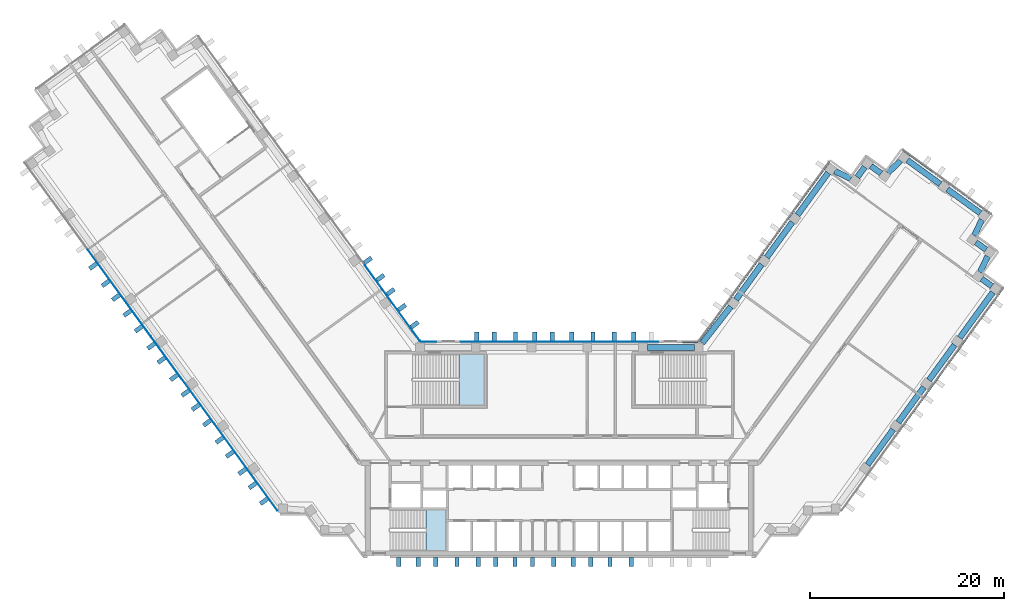
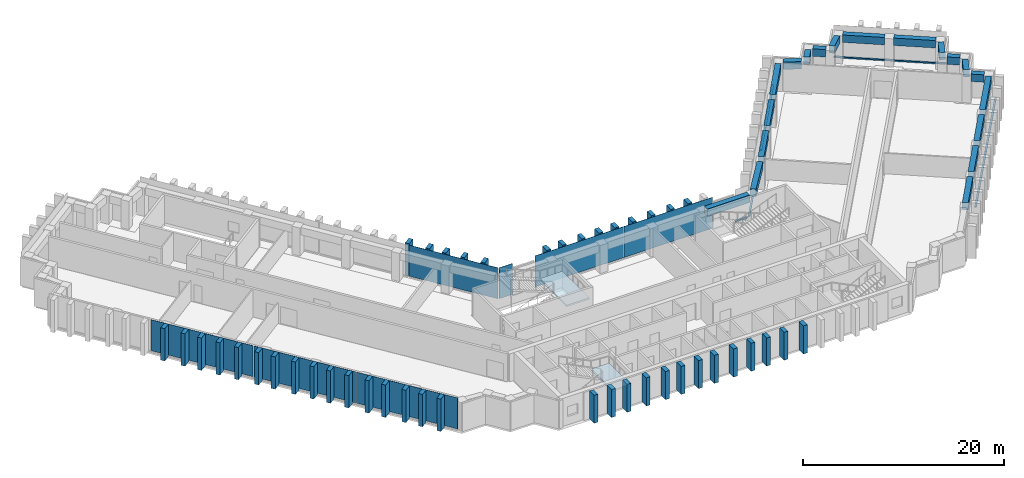
"""IFC4 building model written with IfcOpenShell, lengths in metres."""

import ifcopenshell
import ifcopenshell.guid

model = None  # the IFC model being written
_history = None  # IfcOwnerHistory: only IFC2X3 demands one
_inside = {}  # id of a spatial element -> (the spatial element, [elements in it])
_under = {}  # id of a project, library or spatial element -> (it, [spatial elements below it])
_declared = {}  # id of a project -> (the project, [libraries it declares])
_typed = {}  # id of a type object -> (the type object, [elements of that type])
_made_of = {}  # id of a material, layer set ... -> (it, [elements and type objects made of it])


def new_model(schema):
    """Start an empty IFC model of exactly this schema.

    Asked for "IFC4X3", IfcOpenShell would pick the latest addendum, in which some entities
    have other attributes; the version numbers below select the first issue.
    IFC2X3 requires an IfcOwnerHistory on every rooted entity: one is made here for all.
    """
    global model, _history
    if schema == "IFC4X3":
        model = ifcopenshell.file(schema_version=(4, 3, 0, 0))
    else:
        model = ifcopenshell.file(schema=schema)
    _inside.clear()
    _under.clear()
    _declared.clear()
    _typed.clear()
    _made_of.clear()
    _history = None
    if model.schema == "IFC2X3":
        org = make("IfcOrganization", Name="unknown")
        user = make(
            "IfcPersonAndOrganization",
            ThePerson=make("IfcPerson", FamilyName="unknown"),
            TheOrganization=org,
        )
        app = make(
            "IfcApplication",
            ApplicationDeveloper=org,
            Version="unknown",
            ApplicationFullName="unknown",
            ApplicationIdentifier="unknown",
        )
        _history = make(
            "IfcOwnerHistory",
            OwningUser=user,
            OwningApplication=app,
            ChangeAction="ADDED",
            CreationDate=0,
        )
    return model


def make(cls, **values):
    """One entity of the class cls with the attributes given. An attribute that is None is left unset."""
    return model.create_entity(
        cls, **{name: value for name, value in values.items() if value is not None}
    )


def rooted(cls, **values):
    """An entity with a GlobalId (a new one), such as an element, a storey or a relation."""
    return make(cls, GlobalId=ifcopenshell.guid.new(), OwnerHistory=_history, **values)


def si_unit(unit_type, name, prefix=None):
    """IfcSIUnit, for example si_unit("LENGTHUNIT", "METRE", prefix="MILLI")."""
    return make("IfcSIUnit", UnitType=unit_type, Prefix=prefix, Name=name)


def assignment(units):
    """IfcUnitAssignment: the units of a project."""
    return None if units is None else make("IfcUnitAssignment", Units=units)


def point(xyz):
    """IfcCartesianPoint."""
    return None if xyz is None else make("IfcCartesianPoint", Coordinates=xyz)


def direction(xyz):
    """IfcDirection."""
    return None if xyz is None else make("IfcDirection", DirectionRatios=xyz)


def frame(location, z_axis=None, x_axis=None):
    """IfcAxis2Placement3D, a coordinate frame: its origin and axes. An axis left out is left unset."""
    return make(
        "IfcAxis2Placement3D",
        Location=point(location),
        Axis=direction(z_axis),
        RefDirection=direction(x_axis),
    )


def frame_2d(location, x_axis=None):
    """IfcAxis2Placement2D, a coordinate frame in the plane: its origin and x axis."""
    return make(
        "IfcAxis2Placement2D", Location=point(location), RefDirection=direction(x_axis)
    )


def origin():
    """The frame at (0, 0, 0) with its axes left unset."""
    return frame((0.0, 0.0, 0.0))


def origin_2d():
    """The frame at (0, 0) in the plane with its x axis left unset."""
    return frame_2d((0.0, 0.0))


def place(relative_to, where):
    """IfcLocalPlacement: puts the frame where relative to a parent placement (None: the world)."""
    return make(
        "IfcLocalPlacement", PlacementRelTo=relative_to, RelativePlacement=where
    )


def context(
    kind, dimensions, precision=None, world=None, true_north=None, identifier=None
):
    """IfcGeometricRepresentationContext, for example the 3D "Model" context."""
    return make(
        "IfcGeometricRepresentationContext",
        ContextIdentifier=identifier,
        ContextType=kind,
        CoordinateSpaceDimension=dimensions,
        Precision=precision,
        WorldCoordinateSystem=world,
        TrueNorth=true_north,
    )


def subcontext(parent, identifier, kind, view, scale=None):
    """IfcGeometricRepresentationSubContext, for example "Body" below "Model"."""
    return make(
        "IfcGeometricRepresentationSubContext",
        ContextIdentifier=identifier,
        ContextType=kind,
        ParentContext=parent,
        TargetScale=scale,
        TargetView=view,
    )


def project(units=None, contexts=None):
    """IfcProject with its units and contexts."""
    return rooted(
        "IfcProject",
        Name="project",
        RepresentationContexts=contexts,
        UnitsInContext=assignment(units),
    )


def spatial(cls, under=None, at=None, **own):
    """A site, building, storey or space (cls), placed at a placement, below another one or the project."""
    s = rooted(cls, ObjectPlacement=at, **own)
    if under is not None:
        _under.setdefault(under.id(), (under, []))[1].append(s)
    return s


def polyline(points):
    """IfcPolyline through the points."""
    return make("IfcPolyline", Points=[point(p) for p in points])


def profile(cls, at=None, kind="AREA", **sizes):
    """A parametric profile (cls). Its sizes go by their IFC names, for example OverallWidth=200.0."""
    return make(cls, ProfileType=kind, Position=at, **sizes)


def rectangle(**sizes):
    """IfcRectangleProfileDef."""
    return profile("IfcRectangleProfileDef", **sizes)


def outline(outer, holes=None, kind="AREA"):
    """IfcArbitraryClosedProfileDef: a profile drawn as a closed curve; with holes, ...WithVoids."""
    if holes is None:
        return make("IfcArbitraryClosedProfileDef", ProfileType=kind, OuterCurve=outer)
    return make(
        "IfcArbitraryProfileDefWithVoids",
        ProfileType=kind,
        OuterCurve=outer,
        InnerCurves=holes,
    )


def extrude(swept, where, along, depth):
    """IfcExtrudedAreaSolid: the profile swept, set in the frame where, extruded along a direction by depth."""
    return make(
        "IfcExtrudedAreaSolid",
        SweptArea=swept,
        Position=where,
        ExtrudedDirection=direction(along),
        Depth=depth,
    )


def shape(context_of_items, identifier, shape_type, items):
    """IfcShapeRepresentation: the items that make up one representation, for example the "Body"."""
    return make(
        "IfcShapeRepresentation",
        ContextOfItems=context_of_items,
        RepresentationIdentifier=identifier,
        RepresentationType=shape_type,
        Items=items,
    )


def material(Name=None, Category=None):
    """IfcMaterial."""
    return make("IfcMaterial", Name=Name, Category=Category)


def layer(
    of_material, thickness, ventilated=None, Name=None, Category=None, Priority=None
):
    """IfcMaterialLayer: one layer of a wall or slab, of a material (None: an air gap)."""
    return make(
        "IfcMaterialLayer",
        Material=of_material,
        LayerThickness=thickness,
        IsVentilated=ventilated,
        Name=Name,
        Category=Category,
        Priority=Priority,
    )


def layer_set(layers, Name=None):
    """IfcMaterialLayerSet."""
    return make("IfcMaterialLayerSet", MaterialLayers=layers, LayerSetName=Name)


def material_profile(
    of_material, cross_section, Name=None, Category=None, Priority=None
):
    """IfcMaterialProfile: a cross section and its material."""
    return make(
        "IfcMaterialProfile",
        Name=Name,
        Material=of_material,
        Profile=cross_section,
        Priority=Priority,
        Category=Category,
    )


def profile_set(profiles, Name=None, composite=None):
    """IfcMaterialProfileSet."""
    return make(
        "IfcMaterialProfileSet",
        Name=Name,
        MaterialProfiles=profiles,
        CompositeProfile=composite,
    )


def made_of(thing, what):
    """Note that an element or type object is made of a material, layer set ...; save() writes the relation."""
    if what is not None:
        _made_of.setdefault(what.id(), (what, []))[1].append(thing)
    return thing


def type_object(cls, material=None, **own):
    """A type object (cls), such as IfcWallType, which elements share."""
    return made_of(rooted(cls, **own), material)


def element(
    cls,
    number,
    at=None,
    inside=None,
    cuts=None,
    type_object=None,
    material=None,
    context=None,
    identifier="Body",
    shape_type=None,
    held_by="IfcProductDefinitionShape",
    body=None,
    shapes=None,
    **own,
):
    """One element of the class cls, such as IfcWall. Its Tag is "e" and its number.

    at: its placement. inside: the storey or other place that contains it. cuts: it is an
    opening in that element (IfcRelVoidsElement). A single representation is given by context,
    identifier, shape_type and body (its items); several are given by shapes. held_by: the class
    of the entity that holds the representations. save() writes the other relations.
    """
    e = rooted(cls, Tag="e%d" % number, ObjectPlacement=at, **own)
    if body is not None:
        shapes = [shape(context, identifier, shape_type, body)]
    if shapes is not None:
        e.Representation = make(held_by, Representations=shapes)
    if inside is not None:
        _inside.setdefault(inside.id(), (inside, []))[1].append(e)
    if cuts is not None:
        rooted(
            "IfcRelVoidsElement", RelatingBuildingElement=cuts, RelatedOpeningElement=e
        )
    if type_object is not None:
        _typed.setdefault(type_object.id(), (type_object, []))[1].append(e)
    return made_of(e, material)


def aggregate(whole, parts):
    """IfcRelAggregates: a whole, such as a stair, and the parts it consists of."""
    return rooted("IfcRelAggregates", RelatingObject=whole, RelatedObjects=parts)


def save(model, path):
    """Write the relations noted so far, then the file.

    IfcRelAggregates (storeys below a building ...), IfcRelContainedInSpatialStructure (elements
    in a storey), IfcRelDefinesByType, IfcRelAssociatesMaterial and IfcRelDeclares: one each for
    every whole, place, type object, material and project.
    """
    for whole, parts in _under.values():
        aggregate(whole, parts)
    for where, things in _inside.values():
        rooted(
            "IfcRelContainedInSpatialStructure",
            RelatedElements=things,
            RelatingStructure=where,
        )
    for kind, things in _typed.values():
        rooted("IfcRelDefinesByType", RelatedObjects=things, RelatingType=kind)
    for what, things in _made_of.values():
        rooted("IfcRelAssociatesMaterial", RelatedObjects=things, RelatingMaterial=what)
    for by, libraries in _declared.values():
        rooted("IfcRelDeclares", RelatingContext=by, RelatedDefinitions=libraries)
    model.write(path)


model = new_model("IFC4")

# Units and contexts
model_context = context("Model", 3, precision=1e-05, world=origin(), true_north=direction((0.0, 1.0)))
body_context = subcontext(model_context, "Body", "Model", "MODEL_VIEW")
ifc_project = project(units=[si_unit("LENGTHUNIT", "METRE"), si_unit("AREAUNIT", "SQUARE_METRE"), si_unit("VOLUMEUNIT", "CUBIC_METRE"), si_unit("PLANEANGLEUNIT", "RADIAN"), si_unit("MASSUNIT", "GRAM", prefix="KILO")], contexts=[model_context])

# Site, building, storey
site_placement = place(None, origin())
site = spatial("IfcSite", under=ifc_project, at=site_placement, CompositionType="ELEMENT")
building_placement = place(site_placement, origin())
building = spatial("IfcBuilding", under=site, at=building_placement, Name="Quipu Civic Tower", CompositionType="ELEMENT")
storey_1_placement = place(building_placement, frame((0.0, 0.0, 129.0)))
storey_1 = spatial("IfcBuildingStorey", under=building, at=storey_1_placement, Name="L30", CompositionType="ELEMENT", Elevation=129.0)

# Beams
ifc_material_1 = material(Name="Concrete C50/60", Category="concrete")
ifc_material_profile_1 = material_profile(ifc_material_1, rectangle(XDim=0.60009765625, YDim=0.89990234375, at=origin_2d()), Name="RC600x900")
ifc_profile_set_1 = profile_set([ifc_material_profile_1], Name="Concrete C50/60")
beam_type = type_object("IfcBeamType", Name="Spandrel beam RC 600x900 C50/60", PredefinedType="SPANDREL", material=ifc_profile_set_1)
beam_1_placement = place(storey_1_placement, frame((31.812744140625, -1.604736328125, 2.949951171875), z_axis=(0.587778073121, 0.809022210299, 0.0), x_axis=(-0.809022210299, 0.587778073121, 0.0)))
element("IfcBeam", 1, at=beam_1_placement, inside=storey_1, type_object=beam_type, Name="Spandrel beam L30 E-OUT-01 to E-OUT-02", PredefinedType="SPANDREL", context=body_context, shape_type="SweptSolid", body=[
    extrude(rectangle(XDim=0.60009765625, YDim=0.89990234375, at=origin_2d()), origin(), (0.0, 0.0, 1.0), 4.5),
])
beam_2_placement = place(storey_1_placement, frame((34.98681640625, 2.76416015625, 2.949951171875), z_axis=(0.587803872688, 0.809003465539, 0.0), x_axis=(-0.809003465539, 0.587803872688, 0.0)))
element("IfcBeam", 2, at=beam_2_placement, inside=storey_1, type_object=beam_type, Name="Spandrel beam L30 E-OUT-02 to E-OUT-03", PredefinedType="SPANDREL", context=body_context, shape_type="SweptSolid", body=[
    extrude(rectangle(XDim=0.60009765625, YDim=0.89990234375, at=origin_2d()), origin(), (0.0, 0.0, 1.0), 4.499755859375),
])
beam_3_placement = place(storey_1_placement, frame((38.160888671875, 7.1328125, 2.949951171875), z_axis=(0.587778073121, 0.809022210299, 0.0), x_axis=(-0.809022210299, 0.587778073121, 0.0)))
element("IfcBeam", 3, at=beam_3_placement, inside=storey_1, type_object=beam_type, Name="Spandrel beam L30 E-OUT-03 to E-OUT-04", PredefinedType="SPANDREL", context=body_context, shape_type="SweptSolid", body=[
    extrude(rectangle(XDim=0.60009765625, YDim=0.89990234375, at=origin_2d()), origin(), (0.0, 0.0, 1.0), 4.5),
])
beam_4_placement = place(storey_1_placement, frame((41.3349609375, 11.50146484375, 2.949951171875), z_axis=(0.587766353983, 0.809030724463, 0.0), x_axis=(-0.809030724463, 0.587766353983, 0.0)))
element("IfcBeam", 4, at=beam_4_placement, inside=storey_1, type_object=beam_type, Name="Spandrel beam L30 E-OUT-04 to T-Eo.0-E34", PredefinedType="SPANDREL", context=body_context, shape_type="SweptSolid", body=[
    extrude(rectangle(XDim=0.60009765625, YDim=0.89990234375, at=origin_2d()), origin(), (0.0, 0.0, 1.0), 5.802734375),
])
beam_5_placement = place(storey_1_placement, frame((44.646240234375, 16.82470703125, 2.949951171875), z_axis=(-0.808524921146, 0.588461937499, 0.0), x_axis=(-0.588461937499, -0.808524921146, 0.0)))
element("IfcBeam", 5, at=beam_5_placement, inside=storey_1, type_object=beam_type, Name="Spandrel beam L30 T-Eo.0-E34 to T-Eo.1-E34", PredefinedType="SPANDREL", context=body_context, shape_type="SweptSolid", body=[
    extrude(rectangle(XDim=0.60009765625, YDim=0.89990234375, at=origin_2d()), origin(), (0.0, 0.0, 1.0), 1.30029296875),
])
beam_6_placement = place(storey_1_placement, frame((43.42822265625, 18.267578125, 2.949951171875), z_axis=(0.430677818234, 0.902505743406, 0.0), x_axis=(-0.902505743406, 0.430677818234, 0.0)))
element("IfcBeam", 6, at=beam_6_placement, inside=storey_1, type_object=beam_type, Name="Spandrel beam L30 T-Eo.1-E34 to T-Eo.2-E34", PredefinedType="SPANDREL", context=body_context, shape_type="SweptSolid", body=[
    extrude(rectangle(XDim=0.60009765625, YDim=0.89990234375, at=origin_2d()), origin(), (0.0, 0.0, 1.0), 1.833251953125),
])
beam_7_placement = place(storey_1_placement, frame((44.05078125, 20.59912109375, 2.949951171875), z_axis=(-0.809393823939, 0.587266240959, 0.0), x_axis=(-0.587266240959, -0.809393823939, 0.0)))
element("IfcBeam", 7, at=beam_7_placement, inside=storey_1, type_object=beam_type, Name="Spandrel beam L30 T-Eo.2-E34 to T-Eo.3-E34", PredefinedType="SPANDREL", context=body_context, shape_type="SweptSolid", body=[
    extrude(rectangle(XDim=0.60009765625, YDim=0.89990234375, at=origin_2d()), origin(), (0.0, 0.0, 1.0), 1.299072265625),
])
beam_8_placement = place(storey_1_placement, frame((42.83154296875, 22.03955078125, 2.949951171875), z_axis=(0.429892146977, 0.902880247856, 0.0), x_axis=(-0.902880247856, 0.429892146977, 0.0)))
element("IfcBeam", 8, at=beam_8_placement, inside=storey_1, type_object=beam_type, Name="Spandrel beam L30 T-Eo.3-E34 to T-Eo.4-E34", PredefinedType="SPANDREL", context=body_context, shape_type="SweptSolid", body=[
    extrude(rectangle(XDim=0.60009765625, YDim=0.89990234375, at=origin_2d()), origin(), (0.0, 0.0, 1.0), 1.829833984375),
])
beam_9_placement = place(storey_1_placement, frame((43.450927734375, 24.36962890625, 2.949951171875), z_axis=(-0.808987489375, 0.587825860298, 0.0), x_axis=(-0.587825860298, -0.808987489375, 0.0)))
element("IfcBeam", 9, at=beam_9_placement, inside=storey_1, type_object=beam_type, Name="Spandrel beam L30 T-Eo.4-E34 to TIP-E-01-E34", PredefinedType="SPANDREL", context=body_context, shape_type="SweptSolid", body=[
    extrude(rectangle(XDim=0.60009765625, YDim=0.89990234375, at=origin_2d()), origin(), (0.0, 0.0, 1.0), 4.1982421875),
])
beam_10_placement = place(storey_1_placement, frame((39.32666015625, 27.366455078125, 2.949951171875), z_axis=(-0.808969789945, 0.58785021813, 0.0), x_axis=(-0.58785021813, -0.808969789945, 0.0)))
element("IfcBeam", 10, at=beam_10_placement, inside=storey_1, type_object=beam_type, Name="Spandrel beam L30 TIP-E-01-E34 to T-Ei.0-E34", PredefinedType="SPANDREL", context=body_context, shape_type="SweptSolid", body=[
    extrude(rectangle(XDim=0.60009765625, YDim=0.89990234375, at=origin_2d()), origin(), (0.0, 0.0, 1.0), 4.199951171875),
])
beam_11_placement = place(storey_1_placement, frame((35.233154296875, 29.784912109375, 2.949951171875), z_axis=(-0.725209203815, -0.688528583795, 0.0), x_axis=(0.688528583795, -0.725209203815, 0.0)))
element("IfcBeam", 11, at=beam_11_placement, inside=storey_1, type_object=beam_type, Name="Spandrel beam L30 T-Ei.0-E34 to T-Ei.1-E34", PredefinedType="SPANDREL", context=body_context, shape_type="SweptSolid", body=[
    extrude(rectangle(XDim=0.60009765625, YDim=0.89990234375, at=origin_2d()), origin(), (0.0, 0.0, 1.0), 1.830322265625),
])
beam_12_placement = place(storey_1_placement, frame((33.209716796875, 28.4736328125, 2.949951171875), z_axis=(-0.809402563526, 0.587254195521, 0.0), x_axis=(-0.587254195521, -0.809402563526, 0.0)))
element("IfcBeam", 12, at=beam_12_placement, inside=storey_1, type_object=beam_type, Name="Spandrel beam L30 T-Ei.1-E34 to T-Ei.2-E34", PredefinedType="SPANDREL", context=body_context, shape_type="SweptSolid", body=[
    extrude(rectangle(XDim=0.60009765625, YDim=0.89990234375, at=origin_2d()), origin(), (0.0, 0.0, 1.0), 1.2978515625),
])
beam_13_placement = place(storey_1_placement, frame((31.52978515625, 29.136474609375, 2.949951171875), z_axis=(-0.589187485143, -0.80799635355, 0.0), x_axis=(0.80799635355, -0.589187485143, 0.0)))
element("IfcBeam", 13, at=beam_13_placement, inside=storey_1, type_object=beam_type, Name="Spandrel beam L30 T-Ei.2-E34 to T-Ei.3-E34", PredefinedType="SPANDREL", context=body_context, shape_type="SweptSolid", body=[
    extrude(rectangle(XDim=0.60009765625, YDim=0.89990234375, at=origin_2d()), origin(), (0.0, 0.0, 1.0), 1.2998046875),
])
beam_14_placement = place(storey_1_placement, frame((30.085693359375, 27.919677734375, 2.949951171875), z_axis=(-0.902567013751, 0.430549399823, 0.0), x_axis=(-0.430549399823, -0.902567013751, 0.0)))
element("IfcBeam", 14, at=beam_14_placement, inside=storey_1, type_object=beam_type, Name="Spandrel beam L30 T-Ei.3-E34 to T-Ei.4-E34", PredefinedType="SPANDREL", context=body_context, shape_type="SweptSolid", body=[
    extrude(rectangle(XDim=0.60009765625, YDim=0.89990234375, at=origin_2d()), origin(), (0.0, 0.0, 1.0), 1.8310546875),
])
beam_15_placement = place(storey_1_placement, frame((27.755615234375, 28.541015625, 2.949951171875), z_axis=(-0.58767640123, -0.809096068114, 0.0), x_axis=(0.809096068114, -0.58767640123, 0.0)))
element("IfcBeam", 15, at=beam_15_placement, inside=storey_1, type_object=beam_type, Name="Spandrel beam L30 T-Ei.4-E34 to E-IN-03", PredefinedType="SPANDREL", context=body_context, shape_type="SweptSolid", body=[
    extrude(rectangle(XDim=0.60009765625, YDim=0.89990234375, at=origin_2d()), origin(), (0.0, 0.0, 1.0), 5.39404296875),
])
for number, where, z_axis, x_axis, name in (
    (16, (24.056884765625, 23.448486328125, 2.949951171875), (-0.587778073121, -0.809022210299, 0.0), (0.809022210299, -0.587778073121, 0.0), "Spandrel beam L30 E-IN-03 to E-IN-02"),
    (17, (20.8828125, 19.079833984375, 2.949951171875), (-0.587716763865, -0.809066749701, 0.0), (0.809066749701, -0.587716763865, 0.0), "Spandrel beam L30 E-IN-02 to E-IN-01"),
):
    element("IfcBeam", number, at=place(storey_1_placement, frame(where, z_axis=z_axis, x_axis=x_axis)), inside=storey_1, type_object=beam_type, Name=name, PredefinedType="SPANDREL", context=body_context, shape_type="SweptSolid", body=[
        extrude(rectangle(XDim=0.60009765625, YDim=0.89990234375, at=origin_2d()), origin(), (0.0, 0.0, 1.0), 4.5),
    ])
beam_16_placement = place(storey_1_placement, frame((17.6962890625, 14.72021484375, 2.949951171875), z_axis=(-0.616123961998, -0.787649200756, 0.0), x_axis=(0.787649200756, -0.616123961998, 0.0)))
element("IfcBeam", 18, at=beam_16_placement, inside=storey_1, type_object=beam_type, Name="Spandrel beam L30 E-IN-01 to J-Ei.0", PredefinedType="SPANDREL", context=body_context, shape_type="SweptSolid", body=[
    extrude(rectangle(XDim=0.60009765625, YDim=0.89990234375, at=origin_2d()), origin(), (0.0, 0.0, 1.0), 4.78662109375),
])
beam_17_placement = place(storey_1_placement, frame((13.9453125, 10.5, 2.949951171875), z_axis=(-1.0, 0.0, 0.0), x_axis=(0.0, -1.0, 0.0)))
element("IfcBeam", 19, at=beam_17_placement, inside=storey_1, type_object=beam_type, Name="Spandrel beam L30 J-Ei.0 to FRONT-01", PredefinedType="SPANDREL", context=body_context, shape_type="SweptSolid", body=[
    extrude(rectangle(XDim=0.60009765625, YDim=0.89990234375, at=origin_2d()), origin(), (0.0, 0.0, 1.0), 4.858154296875),
])

# Storey
storey_2_placement = place(building_placement, frame((0.0, 0.0, 125.0)))
storey_2 = spatial("IfcBuildingStorey", under=building, at=storey_2_placement, Name="L29", CompositionType="ELEMENT", Elevation=125.0)

# Curtain wall, members
ifc_material_2 = material(Name="Insulated glass unit", Category="glass")
curtain_wall_type = type_object("IfcCurtainWallType", Name="Office curtain wall CW1", PredefinedType="NOTDEFINED", material=ifc_material_2)
curtain_wall_1_placement = place(storey_2_placement, origin())
curtain_wall_1 = element("IfcCurtainWall", 20, at=curtain_wall_1_placement, inside=storey_2, type_object=curtain_wall_type, Name="Office curtain wall CW1 L28 run 23", PredefinedType="NOTDEFINED")
ifc_material_3 = material(Name="Anodised aluminium", Category="aluminium")
ifc_material_profile_2 = material_profile(ifc_material_3, rectangle(XDim=0.199951171875, YDim=0.159912109375, at=origin_2d()), Name="RECT 200x160")
ifc_profile_set_2 = profile_set([ifc_material_profile_2], Name="Anodised aluminium")
member_type = type_object("IfcMemberType", Name="Transom CW1", PredefinedType="USERDEFINED", material=ifc_profile_set_2)
member_1_placement = place(storey_1_placement, frame((34.67724609375, 1.317138671875, 0.080078125), z_axis=(0.587790407593, 0.809013248805, 0.0), x_axis=(-0.809013248805, 0.587790407593, 0.0)))
member_1 = element("IfcMember", 21, at=member_1_placement, inside=storey_1, type_object=member_type, Name="CW1 transom 2.3", ObjectType="TRANSOM", PredefinedType="USERDEFINED", context=body_context, shape_type="SweptSolid", body=[
    extrude(rectangle(XDim=0.199951171875, YDim=0.159912109375, at=origin_2d()), origin(), (0.0, 0.0, 1.0), 9.443359375),
])
member_2_placement = place(storey_1_placement, frame((40.275146484375, 9.02197265625, 0.080078125), z_axis=(0.58778879159, 0.809014422913, 0.0), x_axis=(-0.809014422913, 0.58778879159, 0.0)))
member_2 = element("IfcMember", 22, at=member_2_placement, inside=storey_1, type_object=member_type, Name="CW1 transom 3.3", ObjectType="TRANSOM", PredefinedType="USERDEFINED", context=body_context, shape_type="SweptSolid", body=[
    extrude(rectangle(XDim=0.199951171875, YDim=0.159912109375, at=origin_2d()), origin(), (0.0, 0.0, 1.0), 9.403564453125),
])
aggregate(curtain_wall_1, [member_1, member_2])

# Curtain wall, member
curtain_wall_2_placement = place(storey_2_placement, origin())
curtain_wall_2 = element("IfcCurtainWall", 23, at=curtain_wall_2_placement, inside=storey_2, type_object=curtain_wall_type, Name="Office curtain wall CW1 L28 run 25", PredefinedType="NOTDEFINED")
member_3_placement = place(storey_1_placement, frame((44.590087890625, 24.2841796875, 0.080078125), z_axis=(-0.809014959561, 0.587788052963, 0.0), x_axis=(-0.587788052963, -0.809014959561, 0.0)))
member_3 = element("IfcMember", 24, at=member_3_placement, inside=storey_1, type_object=member_type, Name="CW1 transom 1.3", ObjectType="TRANSOM", PredefinedType="USERDEFINED", context=body_context, shape_type="SweptSolid", body=[
    extrude(rectangle(XDim=0.199951171875, YDim=0.159912109375, at=origin_2d()), origin(), (0.0, 0.0, 1.0), 11.239990234375),
])
aggregate(curtain_wall_2, [member_3])

# Curtain wall, members
curtain_wall_3_placement = place(storey_2_placement, origin())
curtain_wall_3 = element("IfcCurtainWall", 25, at=curtain_wall_3_placement, inside=storey_2, type_object=curtain_wall_type, Name="Office curtain wall CW1 L28 run 30", PredefinedType="NOTDEFINED")
member_4_placement = place(storey_1_placement, frame((27.84228515625, 29.678466796875, 0.080078125), z_axis=(-0.587775682251, -0.809023947331, 0.0), x_axis=(0.809023947331, -0.587775682251, 0.0)))
member_4 = element("IfcMember", 26, at=member_4_placement, inside=storey_1, type_object=member_type, Name="CW1 transom 1.3", ObjectType="TRANSOM", PredefinedType="USERDEFINED", context=body_context, shape_type="SweptSolid", body=[
    extrude(rectangle(XDim=0.199951171875, YDim=0.159912109375, at=origin_2d()), origin(), (0.0, 0.0, 1.0), 11.402099609375),
])
member_5_placement = place(storey_1_placement, frame((21.09326171875, 20.38916015625, 0.080078125), z_axis=(-0.587799878401, -0.809006367683, 0.0), x_axis=(0.809006367683, -0.587799878401, 0.0)))
member_5 = element("IfcMember", 27, at=member_5_placement, inside=storey_1, type_object=member_type, Name="CW1 transom 2.3", ObjectType="TRANSOM", PredefinedType="USERDEFINED", context=body_context, shape_type="SweptSolid", body=[
    extrude(rectangle(XDim=0.199951171875, YDim=0.159912109375, at=origin_2d()), origin(), (0.0, 0.0, 1.0), 11.402099609375),
])
aggregate(curtain_wall_3, [member_4, member_5])

# Curtain wall, member
curtain_wall_4_placement = place(storey_2_placement, origin())
curtain_wall_4 = element("IfcCurtainWall", 28, at=curtain_wall_4_placement, inside=storey_2, type_object=curtain_wall_type, Name="Office curtain wall CW1 L28 run 31", PredefinedType="NOTDEFINED")
member_6_placement = place(storey_1_placement, frame((14.26416015625, 11.10009765625, 0.080078125), z_axis=(-1.0, 0.0, 0.0), x_axis=(0.0, -1.0, 0.0)))
member_6 = element("IfcMember", 29, at=member_6_placement, inside=storey_1, type_object=member_type, Name="CW1 transom 1.3", ObjectType="TRANSOM", PredefinedType="USERDEFINED", context=body_context, shape_type="SweptSolid", body=[
    extrude(rectangle(XDim=0.199951171875, YDim=0.159912109375, at=origin_2d()), origin(), (0.0, 0.0, 1.0), 1.529052734375),
])
aggregate(curtain_wall_4, [member_6])

# Curtain wall, plate
curtain_wall_5_placement = place(storey_2_placement, origin())
curtain_wall_5 = element("IfcCurtainWall", 30, at=curtain_wall_5_placement, inside=storey_2, type_object=curtain_wall_type, Name="Office curtain wall CW1 L28 run 1", PredefinedType="NOTDEFINED")
ifc_material_4 = material(Name="Insulated glass unit", Category="glass")
ifc_layer_1 = layer(ifc_material_4, 0.028076171875)
ifc_layer_set_1 = layer_set([ifc_layer_1], Name="Insulated glass unit")
plate_type_1 = type_object("IfcPlateType", Name="Glass panel CW1", PredefinedType="CURTAIN_PANEL", material=ifc_layer_set_1)
plate_1_placement = place(storey_1_placement, frame((-17.224609375, 15.064697265625, 0.16015625), z_axis=(0.0, 0.0, 1.0), x_axis=(-0.587785887566, 0.809016532822, 0.0)))
plate_1 = element("IfcPlate", 31, at=plate_1_placement, inside=storey_1, type_object=plate_type_1, Name="CW1 panel 1.3", PredefinedType="CURTAIN_PANEL", context=body_context, shape_type="SweptSolid", body=[
    extrude(rectangle(XDim=9.64111328125, YDim=0.028076171875, at=origin_2d()), origin(), (0.0, 0.0, 1.0), 3.760009765625),
])
aggregate(curtain_wall_5, [plate_1])

# Curtain wall, plates
curtain_wall_6_placement = place(storey_2_placement, origin())
curtain_wall_6 = element("IfcCurtainWall", 32, at=curtain_wall_6_placement, inside=storey_2, type_object=curtain_wall_type, Name="Office curtain wall CW1 L28 run 11", PredefinedType="NOTDEFINED")
plate_2_placement = place(storey_1_placement, frame((-45.4296875, 16.11669921875, 0.16015625), z_axis=(0.0, 0.0, 1.0), x_axis=(0.587785559869, -0.809016770908, 0.0)))
plate_2 = element("IfcPlate", 33, at=plate_2_placement, inside=storey_1, type_object=plate_type_1, Name="CW1 panel 2.3", PredefinedType="CURTAIN_PANEL", context=body_context, shape_type="SweptSolid", body=[
    extrude(rectangle(XDim=11.062744140625, YDim=0.028076171875, at=origin_2d()), origin(), (0.0, 0.0, 1.0), 3.760009765625),
])
plate_3_placement = place(storey_1_placement, frame((-38.880126953125, 7.101806640625, 0.16015625), z_axis=(0.0, 0.0, 1.0), x_axis=(0.587785559869, -0.809016770908, 0.0)))
plate_3 = element("IfcPlate", 34, at=plate_3_placement, inside=storey_1, type_object=plate_type_1, Name="CW1 panel 3.3", PredefinedType="CURTAIN_PANEL", context=body_context, shape_type="SweptSolid", body=[
    extrude(rectangle(XDim=11.062744140625, YDim=0.028076171875, at=origin_2d()), origin(), (0.0, 0.0, 1.0), 3.760009765625),
])
plate_4_placement = place(storey_1_placement, frame((-32.342529296875, -1.896484375, 0.16015625), z_axis=(0.0, 0.0, 1.0), x_axis=(0.587785559869, -0.809016770908, 0.0)))
plate_4 = element("IfcPlate", 35, at=plate_4_placement, inside=storey_1, type_object=plate_type_1, Name="CW1 panel 4.3", PredefinedType="CURTAIN_PANEL", context=body_context, shape_type="SweptSolid", body=[
    extrude(rectangle(XDim=11.022705078125, YDim=0.028076171875, at=origin_2d()), origin(), (0.0, 0.0, 1.0), 3.760009765625),
])
aggregate(curtain_wall_6, [plate_2, plate_3, plate_4])

curtain_wall_7_placement = place(storey_2_placement, origin())
curtain_wall_7 = element("IfcCurtainWall", 36, at=curtain_wall_7_placement, inside=storey_2, type_object=curtain_wall_type, Name="Office curtain wall CW1 L28 run 33", PredefinedType="NOTDEFINED")
plate_5_placement = place(storey_1_placement, frame((5.11181640625, 11.10009765625, 0.16015625), z_axis=(0.0, 0.0, 1.0), x_axis=(-1.0, 0.0, 0.0)))
plate_5 = element("IfcPlate", 37, at=plate_5_placement, inside=storey_1, type_object=plate_type_1, Name="CW1 panel 1.3", PredefinedType="CURTAIN_PANEL", context=body_context, shape_type="SweptSolid", body=[
    extrude(rectangle(XDim=10.1435546875, YDim=0.028076171875, at=origin_2d()), origin(), (0.0, 0.0, 1.0), 3.760009765625),
])
plate_6_placement = place(storey_1_placement, frame((-5.11181640625, 11.10009765625, 0.16015625), z_axis=(0.0, 0.0, 1.0), x_axis=(-1.0, 0.0, 0.0)))
plate_6 = element("IfcPlate", 38, at=plate_6_placement, inside=storey_1, type_object=plate_type_1, Name="CW1 panel 2.3", PredefinedType="CURTAIN_PANEL", context=body_context, shape_type="SweptSolid", body=[
    extrude(rectangle(XDim=10.1435546875, YDim=0.028076171875, at=origin_2d()), origin(), (0.0, 0.0, 1.0), 3.760009765625),
])
aggregate(curtain_wall_7, [plate_5, plate_6])

# Curtain wall, plate
curtain_wall_8_placement = place(storey_2_placement, origin())
curtain_wall_8 = element("IfcCurtainWall", 39, at=curtain_wall_8_placement, inside=storey_2, type_object=curtain_wall_type, Name="Office curtain wall CW1 L28 run 35", PredefinedType="NOTDEFINED")
plate_7_placement = place(storey_1_placement, frame((-13.49951171875, 11.10009765625, 0.16015625), z_axis=(0.0, 0.0, 1.0), x_axis=(-1.0, 0.0, 0.0)))
plate_7 = element("IfcPlate", 40, at=plate_7_placement, inside=storey_1, type_object=plate_type_1, Name="CW1 panel 1.3", PredefinedType="CURTAIN_PANEL", context=body_context, shape_type="SweptSolid", body=[
    extrude(rectangle(XDim=1.529296875, YDim=0.028076171875, at=origin_2d()), origin(), (0.0, 0.0, 1.0), 3.760009765625),
])
aggregate(curtain_wall_8, [plate_7])

# Plates
ifc_material_5 = material(Name="Precast concrete C40/50", Category="concrete")
plate_type_2 = type_object("IfcPlateType", Name="Precast fin F1", PredefinedType="SHEET", material=ifc_material_5)
for number, where, z_axis, x_axis, name in (
    (41, (-14.942138671875, 12.8583984375, 0.080078125), (0.0, 0.0, 1.0), (-0.587784944053, 0.809017218324, 0.0), "Precast fin F1 L30.P01.1"),
    (42, (-16.235107421875, 14.638427734375, 0.080078125), (0.0, 0.0, 1.0), (-0.587784944053, 0.809017218324, 0.0), "Precast fin F1 L30.P01.2"),
    (43, (-17.41064453125, 16.25634765625, 0.080078125), (0.0, 0.0, 1.0), (-0.587784944053, 0.809017218324, 0.0), "Precast fin F1 L30.P01.3"),
    (44, (-18.46875, 17.712646484375, 0.080078125), (0.0, 0.0, 1.0), (-0.587784944053, 0.809017218324, 0.0), "Precast fin F1 L30.P01.4"),
    (45, (-19.761962890625, 19.492431640625, 0.080078125), (0.0, 0.0, 1.0), (-0.587784944053, 0.809017218324, 0.0), "Precast fin F1 L30.P01.5"),
    (46, (-48.13134765625, 18.899169921875, 0.080078125), (0.0, 0.0, 1.0), (0.587785716149, -0.809016657363, 0.0), "Precast fin F1 L30.P11.7"),
    (47, (-46.838134765625, 17.119384765625, 0.080078125), (0.0, 0.0, 1.0), (0.587785716149, -0.809016657363, 0.0), "Precast fin F1 L30.P11.8"),
    (48, (-45.7802734375, 15.6630859375, 0.080078125), (0.0, 0.0, 1.0), (0.587785716149, -0.809016657363, 0.0), "Precast fin F1 L30.P11.9"),
    (49, (-44.6044921875, 14.045166015625, 0.080078125), (0.0, 0.0, 1.0), (0.587785716149, -0.809016657363, 0.0), "Precast fin F1 L30.P11.10"),
    (50, (-43.428955078125, 12.427001953125, 0.080078125), (0.0, 0.0, 1.0), (0.587785716149, -0.809016657363, 0.0), "Precast fin F1 L30.P11.11"),
    (51, (-42.135986328125, 10.647216796875, 0.080078125), (0.0, 0.0, 1.0), (0.587785716149, -0.809016657363, 0.0), "Precast fin F1 L30.P11.12"),
    (52, (-41.077880859375, 9.191162109375, 0.080078125), (0.0, 0.0, 1.0), (0.587785716149, -0.809016657363, 0.0), "Precast fin F1 L30.P11.13"),
    (53, (-39.78466796875, 7.4111328125, 0.080078125), (0.0, 0.0, 1.0), (0.587785716149, -0.809016657363, 0.0), "Precast fin F1 L30.P11.14"),
    (54, (-38.609130859375, 5.793212890625, 0.080078125), (0.0, 0.0, 1.0), (0.587785716149, -0.809016657363, 0.0), "Precast fin F1 L30.P11.15"),
    (55, (-37.55126953125, 4.3369140625, 0.080078125), (0.0, 0.0, 1.0), (0.587785716149, -0.809016657363, 0.0), "Precast fin F1 L30.P11.16"),
    (56, (-36.37548828125, 2.718994140625, 0.080078125), (0.0, 0.0, 1.0), (0.587785716149, -0.809016657363, 0.0), "Precast fin F1 L30.P11.17"),
    (57, (-35.08251953125, 0.93896484375, 0.080078125), (0.0, 0.0, 1.0), (0.587785716149, -0.809016657363, 0.0), "Precast fin F1 L30.P11.18"),
    (58, (-34.0244140625, -0.51708984375, 0.080078125), (0.0, 0.0, 1.0), (0.587785716149, -0.809016657363, 0.0), "Precast fin F1 L30.P11.19"),
    (59, (-32.731201171875, -2.296875, 0.080078125), (0.0, 0.0, 1.0), (0.587785716149, -0.809016657363, 0.0), "Precast fin F1 L30.P11.20"),
    (60, (-31.67333984375, -3.753173828125, 0.080078125), (0.0, 0.0, 1.0), (0.587785716149, -0.809016657363, 0.0), "Precast fin F1 L30.P11.21"),
    (61, (-30.497802734375, -5.371337890625, 0.080078125), (0.0, 0.0, 1.0), (0.587785716149, -0.809016657363, 0.0), "Precast fin F1 L30.P11.22"),
):
    element("IfcPlate", number, at=place(storey_1_placement, frame(where, z_axis=z_axis, x_axis=x_axis)), inside=storey_1, type_object=plate_type_2, Name=name, PredefinedType="SHEET", context=body_context, shape_type="SweptSolid", body=[
        extrude(rectangle(XDim=0.449951171875, YDim=0.89990234375, at=origin_2d()), origin(), (0.0, 0.0, 1.0), 3.919921875),
    ])
for number, where, z_axis, x_axis, name in (
    (62, (-16.574951171875, -11.637939453125, 0.0), (0.0, 0.0, 1.0), (1.0, 0.0, 0.0), "Precast fin F1 L30.P18.1"),
    (63, (-14.574951171875, -11.637939453125, 0.0), (0.0, 0.0, 1.0), (1.0, 0.0, 0.0), "Precast fin F1 L30.P18.2"),
    (64, (-12.77490234375, -11.637939453125, 0.0), (0.0, 0.0, 1.0), (1.0, 0.0, 0.0), "Precast fin F1 L30.P18.3"),
    (65, (-10.574951171875, -11.637939453125, 0.0), (0.0, 0.0, 1.0), (1.0, 0.0, 0.0), "Precast fin F1 L30.P18.4"),
    (66, (-8.375, -11.637939453125, 0.0), (0.0, 0.0, 1.0), (1.0, 0.0, 0.0), "Precast fin F1 L30.P18.5"),
    (67, (-6.574951171875, -11.637939453125, 0.0), (0.0, 0.0, 1.0), (1.0, 0.0, 0.0), "Precast fin F1 L30.P18.6"),
    (68, (-4.574951171875, -11.637939453125, 0.0), (0.0, 0.0, 1.0), (1.0, 0.0, 0.0), "Precast fin F1 L30.P18.7"),
    (69, (-2.77490234375, -11.637939453125, 0.0), (0.0, 0.0, 1.0), (1.0, 0.0, 0.0), "Precast fin F1 L30.P18.8"),
    (70, (-0.574951171875, -11.637939453125, 0.0), (0.0, 0.0, 1.0), (1.0, 0.0, 0.0), "Precast fin F1 L30.P18.9"),
    (71, (1.425048828125, -11.637939453125, 0.0), (0.0, 0.0, 1.0), (1.0, 0.0, 0.0), "Precast fin F1 L30.P18.10"),
    (72, (3.22509765625, -11.637939453125, 0.0), (0.0, 0.0, 1.0), (1.0, 0.0, 0.0), "Precast fin F1 L30.P18.11"),
    (73, (5.22509765625, -11.637939453125, 0.0), (0.0, 0.0, 1.0), (1.0, 0.0, 0.0), "Precast fin F1 L30.P18.12"),
    (74, (7.425048828125, -11.637939453125, 0.0), (0.0, 0.0, 1.0), (1.0, 0.0, 0.0), "Precast fin F1 L30.P18.13"),
):
    element("IfcPlate", number, at=place(storey_1_placement, frame(where, z_axis=z_axis, x_axis=x_axis)), inside=storey_1, type_object=plate_type_2, Name=name, PredefinedType="SHEET", context=body_context, shape_type="SweptSolid", body=[
        extrude(rectangle(XDim=0.449951171875, YDim=0.89990234375, at=origin_2d()), origin(), (0.0, 0.0, 1.0), 3.39990234375),
    ])
for number, where, z_axis, x_axis, name in (
    (75, (7.675048828125, 11.64990234375, 0.080078125), (0.0, 0.0, 1.0), (-1.0, 0.0, 0.0), "Precast fin F1 L30.P34.2"),
    (76, (5.675048828125, 11.64990234375, 0.080078125), (0.0, 0.0, 1.0), (-1.0, 0.0, 0.0), "Precast fin F1 L30.P34.3"),
    (77, (3.47509765625, 11.64990234375, 0.080078125), (0.0, 0.0, 1.0), (-1.0, 0.0, 0.0), "Precast fin F1 L30.P34.4"),
    (78, (1.27490234375, 11.64990234375, 0.080078125), (0.0, 0.0, 1.0), (-1.0, 0.0, 0.0), "Precast fin F1 L30.P34.5"),
    (79, (-0.72509765625, 11.64990234375, 0.080078125), (0.0, 0.0, 1.0), (-1.0, 0.0, 0.0), "Precast fin F1 L30.P34.6"),
    (80, (-2.52490234375, 11.64990234375, 0.080078125), (0.0, 0.0, 1.0), (-1.0, 0.0, 0.0), "Precast fin F1 L30.P34.7"),
    (81, (-4.52490234375, 11.64990234375, 0.080078125), (0.0, 0.0, 1.0), (-1.0, 0.0, 0.0), "Precast fin F1 L30.P34.8"),
    (82, (-6.72509765625, 11.64990234375, 0.080078125), (0.0, 0.0, 1.0), (-1.0, 0.0, 0.0), "Precast fin F1 L30.P34.9"),
    (83, (-8.52490234375, 11.64990234375, 0.080078125), (0.0, 0.0, 1.0), (-1.0, 0.0, 0.0), "Precast fin F1 L30.P34.10"),
):
    element("IfcPlate", number, at=place(storey_1_placement, frame(where, z_axis=z_axis, x_axis=x_axis)), inside=storey_1, type_object=plate_type_2, Name=name, PredefinedType="SHEET", context=body_context, shape_type="SweptSolid", body=[
        extrude(rectangle(XDim=0.449951171875, YDim=0.89990234375, at=origin_2d()), origin(), (0.0, 0.0, 1.0), 3.919921875),
    ])

# Stair, slab
ifc_material_6 = material(Name="Concrete C40/50", Category="concrete")
stair_type_1 = type_object("IfcStairType", Name="Half turn stair 2000", PredefinedType="HALF_TURN_STAIR", material=ifc_material_6)
stair_1_placement = place(storey_1_placement, origin())
stair_1 = element("IfcStair", 84, at=stair_1_placement, inside=storey_1, type_object=stair_type_1, Name="Exit stair 1", PredefinedType="HALF_TURN_STAIR")
ifc_material_7 = material(Name="Concrete C40/50", Category="concrete")
ifc_layer_2 = layer(ifc_material_7, 0.199951171875)
ifc_layer_set_2 = layer_set([ifc_layer_2], Name="Concrete C40/50")
slab_type = type_object("IfcSlabType", Name="Stair landing 200", PredefinedType="LANDING", material=ifc_layer_set_2)
slab_1_placement = place(storey_1_placement, frame((0.0, 0.0, 1.800048828125)))
slab_1 = element("IfcSlab", 85, at=slab_1_placement, type_object=slab_type, Name="ST-1 landing 1", PredefinedType="LANDING", context=body_context, shape_type="SweptSolid", body=[
    extrude(outline(polyline([(-13.780029296875, -10.5), (-11.699951171875, -10.5), (-11.699951171875, -6.25), (-13.780029296875, -6.25), (-13.780029296875, -10.5)])), origin(), (0.0, 0.0, 1.0), 0.199951171875),
])
aggregate(stair_1, [slab_1])

ifc_material_8 = material(Name="Concrete C40/50", Category="concrete")
stair_type_2 = type_object("IfcStairType", Name="Half turn stair 2600", PredefinedType="HALF_TURN_STAIR", material=ifc_material_8)
stair_2_placement = place(storey_1_placement, origin())
stair_2 = element("IfcStair", 86, at=stair_2_placement, inside=storey_1, type_object=stair_type_2, Name="Exit stair 3", PredefinedType="HALF_TURN_STAIR")
slab_2_placement = place(storey_1_placement, frame((0.0, 0.0, 1.800048828125)))
slab_2 = element("IfcSlab", 87, at=slab_2_placement, type_object=slab_type, Name="ST-3 landing 1", PredefinedType="LANDING", context=body_context, shape_type="SweptSolid", body=[
    extrude(outline(polyline([(-10.35009765625, 4.5), (-7.75, 4.5), (-7.75, 9.85009765625), (-10.35009765625, 9.85009765625), (-10.35009765625, 4.5)])), origin(), (0.0, 0.0, 1.0), 0.199951171875),
])
aggregate(stair_2, [slab_2])

save(model, "model.ifc")
